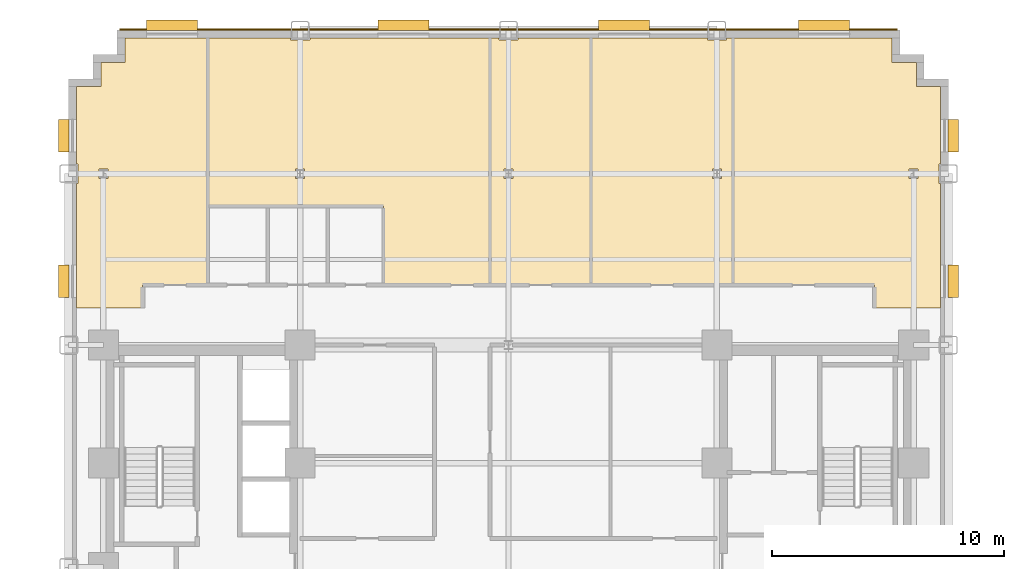
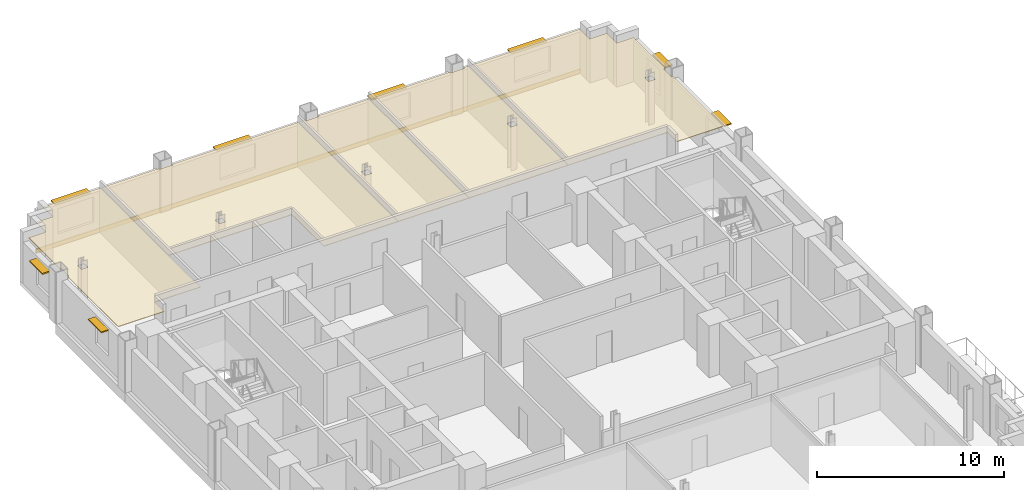
# One storey, part 12 of 12: 8 shading devices, 6 coverings.
"""IFC4 building model written with IfcOpenShell, lengths in metres."""

from ifc_helpers import new_model, si_unit, direction, frame, origin, origin_2d, place, context, subcontext, project, spatial, polyline, rectangle, outline, extrude, source, transform, mapped, material, layer, layer_set, type_object, type_shapes, element, save


model = new_model("IFC4")

# Units and contexts
model_context = context("Model", 3, precision=1e-05, world=origin(), true_north=direction((0.0, 1.0)))
body_context = subcontext(model_context, "Body", "Model", "MODEL_VIEW")
ifc_project = project(units=[si_unit("LENGTHUNIT", "METRE"), si_unit("AREAUNIT", "SQUARE_METRE"), si_unit("VOLUMEUNIT", "CUBIC_METRE"), si_unit("PLANEANGLEUNIT", "RADIAN"), si_unit("MASSUNIT", "GRAM", prefix="KILO")], contexts=[model_context])

# Site, building, storey
site_placement = place(None, origin())
site = spatial("IfcSite", under=ifc_project, at=site_placement, CompositionType="ELEMENT")
building_placement = place(site_placement, origin())
building = spatial("IfcBuilding", under=site, at=building_placement, Name="Nuvemarco Arch Tower", CompositionType="ELEMENT")
storey_placement = place(building_placement, frame((0.0, 0.0, 42.199951171875)))
storey = spatial("IfcBuildingStorey", under=building, at=storey_placement, Name="L10", CompositionType="ELEMENT", Elevation=42.199951171875)

# Coverings
ifc_material_1 = material(Name="Mineral acoustic ceiling tile")
ifc_layer_1 = layer(ifc_material_1, 0.0400390625, Name="COV-ACOUSTIC-CLG")
ifc_layer_set_1 = layer_set([ifc_layer_1], Name="Mineral acoustic ceiling tile")
covering_type_1 = type_object("IfcCoveringType", Name="COV-ACOUSTIC-CLG", PredefinedType="CEILING", material=ifc_layer_set_1)
covering_1_placement = place(storey_placement, frame((0.0, 0.0, 2.85009765625)))
element("IfcCovering", 1, at=covering_1_placement, inside=storey, type_object=covering_type_1, Name="L10 suspended acoustic ceiling 1", PredefinedType="CEILING", context=body_context, shape_type="SweptSolid", body=[
    extrude(outline(polyline([(-10.39990234375, 15.60009765625), (-13.0, 15.60009765625), (-13.0, 22.860107421875), (-9.4150390625, 22.860107421875), (-9.4150390625, 22.784912109375), (-8.5849609375, 22.784912109375), (-8.5849609375, 22.860107421875), (-0.800048828125, 22.860107421875), (-0.800048828125, 12.199951171875), (-3.199951171875, 12.199951171875), (-5.39990234375, 12.199951171875), (-5.39990234375, 15.60009765625), (-7.800048828125, 15.60009765625), (-10.39990234375, 15.60009765625)]), holes=[polyline([(-8.804931640625, 16.804931640625), (-8.804931640625, 17.195068359375), (-9.195068359375, 17.195068359375), (-9.195068359375, 16.804931640625), (-8.804931640625, 16.804931640625)])]), origin(), (0.0, 0.0, 1.0), 0.0400390625),
])
covering_2_placement = place(storey_placement, frame((0.0, 0.0, 2.85009765625)))
element("IfcCovering", 2, at=covering_2_placement, inside=storey, type_object=covering_type_1, Name="L10 suspended acoustic ceiling 3", PredefinedType="CEILING", context=body_context, shape_type="SweptSolid", body=[
    extrude(outline(polyline([(18.659912109375, 20.760009765625), (18.659912109375, 17.4150390625), (18.5849609375, 17.4150390625), (18.5849609375, 16.5849609375), (18.659912109375, 16.5849609375), (18.659912109375, 11.199951171875), (15.800048828125, 11.199951171875), (15.800048828125, 12.199951171875), (9.68994140625, 12.199951171875), (9.68994140625, 22.860107421875), (16.56005859375, 22.860107421875), (16.56005859375, 21.81005859375), (17.610107421875, 21.81005859375), (17.610107421875, 20.760009765625), (18.659912109375, 20.760009765625)]), holes=[polyline([(17.695068359375, 16.804931640625), (17.695068359375, 17.195068359375), (17.304931640625, 17.195068359375), (17.304931640625, 16.804931640625), (17.695068359375, 16.804931640625)])]), origin(), (0.0, 0.0, 1.0), 0.0400390625),
])
covering_3_placement = place(storey_placement, frame((0.0, 0.0, 2.85009765625)))
element("IfcCovering", 3, at=covering_3_placement, inside=storey, type_object=covering_type_1, Name="L10 suspended acoustic ceiling 7", PredefinedType="CEILING", context=body_context, shape_type="SweptSolid", body=[
    extrude(outline(polyline([(9.68994140625, 12.199951171875), (3.56005859375, 12.199951171875), (3.56005859375, 22.860107421875), (8.5849609375, 22.860107421875), (8.5849609375, 22.784912109375), (9.4150390625, 22.784912109375), (9.4150390625, 22.860107421875), (9.68994140625, 22.860107421875), (9.68994140625, 12.199951171875)]), holes=[polyline([(9.195068359375, 17.195068359375), (8.804931640625, 17.195068359375), (8.804931640625, 16.804931640625), (9.195068359375, 16.804931640625), (9.195068359375, 17.195068359375)])]), origin(), (0.0, 0.0, 1.0), 0.0400390625),
])
covering_4_placement = place(storey_placement, frame((0.0, 0.0, 2.85009765625)))
element("IfcCovering", 4, at=covering_4_placement, inside=storey, type_object=covering_type_1, Name="L10 suspended acoustic ceiling 8", PredefinedType="CEILING", context=body_context, shape_type="SweptSolid", body=[
    extrude(outline(polyline([(-18.5849609375, 16.5849609375), (-18.5849609375, 17.4150390625), (-18.659912109375, 17.4150390625), (-18.659912109375, 20.760009765625), (-17.610107421875, 20.760009765625), (-17.610107421875, 21.81005859375), (-16.56005859375, 21.81005859375), (-16.56005859375, 22.860107421875), (-13.0, 22.860107421875), (-13.0, 15.60009765625), (-13.0, 12.199951171875), (-15.800048828125, 12.199951171875), (-15.800048828125, 11.199951171875), (-18.659912109375, 11.199951171875), (-18.659912109375, 16.5849609375), (-18.5849609375, 16.5849609375)]), holes=[polyline([(-17.304931640625, 16.804931640625), (-17.304931640625, 17.195068359375), (-17.695068359375, 17.195068359375), (-17.695068359375, 16.804931640625), (-17.304931640625, 16.804931640625)])]), origin(), (0.0, 0.0, 1.0), 0.0400390625),
])
covering_5_placement = place(storey_placement, frame((0.0, 0.0, 2.85009765625)))
element("IfcCovering", 5, at=covering_5_placement, inside=storey, type_object=covering_type_1, Name="L10 suspended acoustic ceiling 9", PredefinedType="CEILING", context=body_context, shape_type="SweptSolid", body=[
    extrude(outline(polyline([(3.56005859375, 12.199951171875), (-0.800048828125, 12.199951171875), (-0.800048828125, 22.860107421875), (-0.4150390625, 22.860107421875), (-0.4150390625, 22.784912109375), (0.4150390625, 22.784912109375), (0.4150390625, 22.860107421875), (3.56005859375, 22.860107421875), (3.56005859375, 12.199951171875)]), holes=[polyline([(0.195068359375, 16.804931640625), (0.195068359375, 17.195068359375), (-0.195068359375, 17.195068359375), (-0.195068359375, 16.804931640625), (0.195068359375, 16.804931640625)])]), origin(), (0.0, 0.0, 1.0), 0.0400390625),
])

# Shading devices
ifc_material_2 = material(Name="Anodised aluminium 6063-T6", Category="aluminium")
shading_device_type_1 = type_object("IfcShadingDeviceType", Name="SHD-BRISE-SOLEIL", PredefinedType="USERDEFINED", material=ifc_material_2)
shared_shape_1 = source(origin(), body_context, "Body", "SweptSolid", [
    extrude(rectangle(XDim=2.199951171875, YDim=0.449951171875, at=origin_2d()), origin(), (0.0, 0.0, 1.0), 0.080078125),
])
type_shapes(shading_device_type_1, [shared_shape_1])
for number, where, z_axis, x_axis, name in (
    (6, (-14.528564453125, 23.4150390625, 2.455078125), (0.0, 0.0, 1.0), (1.0, 0.0, 0.0), "L10 horizontal brise-soleil sunshade"),
    (7, (-4.54296875, 23.4150390625, 2.455078125), (0.0, 0.0, 1.0), (1.0, 0.0, 0.0), "L10 horizontal brise-soleil sunshade"),
    (8, (4.992919921875, 23.4150390625, 2.455078125), (0.0, 0.0, 1.0), (1.0, 0.0, 0.0), "L10 horizontal brise-soleil sunshade"),
    (9, (13.628662109375, 23.4150390625, 2.455078125), (0.0, 0.0, 1.0), (1.0, 0.0, 0.0), "L10 horizontal brise-soleil sunshade"),
):
    element("IfcShadingDevice", number, at=place(storey_placement, frame(where, z_axis=z_axis, x_axis=x_axis)), inside=storey, type_object=shading_device_type_1, Name=name, ObjectType="SUNSHADE", PredefinedType="USERDEFINED", context=body_context, shape_type="MappedRepresentation", body=[
        mapped(shared_shape_1, transform((0.0, 0.0, 0.0), scale=1.0)),
    ])
shading_device_type_2 = type_object("IfcShadingDeviceType", Name="SHD-BRISE-NARROW", PredefinedType="USERDEFINED", material=ifc_material_2)
shared_shape_2 = source(origin(), body_context, "Body", "SweptSolid", [
    extrude(rectangle(XDim=1.39990234375, YDim=0.449951171875, at=origin_2d()), origin(), (0.0, 0.0, 1.0), 0.080078125),
])
type_shapes(shading_device_type_2, [shared_shape_2])
for number, where, z_axis, x_axis, name in (
    (10, (19.215087890625, 12.3525390625, 2.455078125), (0.0, 0.0, 1.0), (0.0, 1.0, 0.0), "L10 horizontal brise-soleil sunshade"),
    (11, (19.215087890625, 18.6435546875, 2.455078125), (0.0, 0.0, 1.0), (0.0, 1.0, 0.0), "L10 horizontal brise-soleil sunshade"),
    (12, (-19.215087890625, 12.3525390625, 2.455078125), (0.0, 0.0, 1.0), (0.0, 1.0, 0.0), "L10 horizontal brise-soleil sunshade"),
    (13, (-19.215087890625, 18.6435546875, 2.455078125), (0.0, 0.0, 1.0), (0.0, 1.0, 0.0), "L10 horizontal brise-soleil sunshade"),
):
    element("IfcShadingDevice", number, at=place(storey_placement, frame(where, z_axis=z_axis, x_axis=x_axis)), inside=storey, type_object=shading_device_type_2, Name=name, ObjectType="SUNSHADE", PredefinedType="USERDEFINED", context=body_context, shape_type="MappedRepresentation", body=[
        mapped(shared_shape_2, transform((0.0, 0.0, 0.0), scale=1.0)),
    ])

# Covering
ifc_material_3 = material(Name="Precast concrete C45/55", Category="concrete")
ifc_layer_2 = layer(ifc_material_3, 0.06005859375, Name="COV-SPANDREL-CLAD")
ifc_layer_set_2 = layer_set([ifc_layer_2], Name="Precast concrete C45/55")
covering_type_2 = type_object("IfcCoveringType", Name="COV-SPANDREL-CLAD", PredefinedType="CLADDING", material=ifc_layer_set_2)
shared_shape_3 = source(origin(), body_context, "Body", "SweptSolid", [
    extrude(rectangle(XDim=33.60009765625, YDim=0.06005859375, at=origin_2d()), origin(), (0.0, 0.0, 1.0), 0.280029296875),
])
type_shapes(covering_type_2, [shared_shape_3])
covering_6_placement = place(storey_placement, frame((0.0, 23.22900390625, -0.27978515625), z_axis=(0.0, 0.0, 1.0), x_axis=(1.0, 0.0, 0.0)))
element("IfcCovering", 14, at=covering_6_placement, inside=storey, type_object=covering_type_2, Name="L10 precast spandrel edge cladding north", PredefinedType="CLADDING", context=body_context, shape_type="MappedRepresentation", body=[
    mapped(shared_shape_3, transform((0.0, 0.0, 0.0), scale=1.0)),
])

save(model, "model.ifc")
